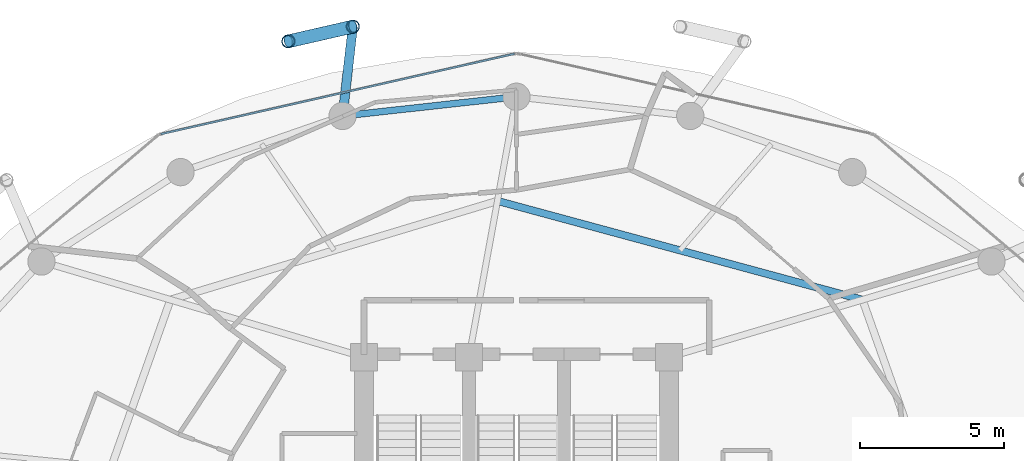
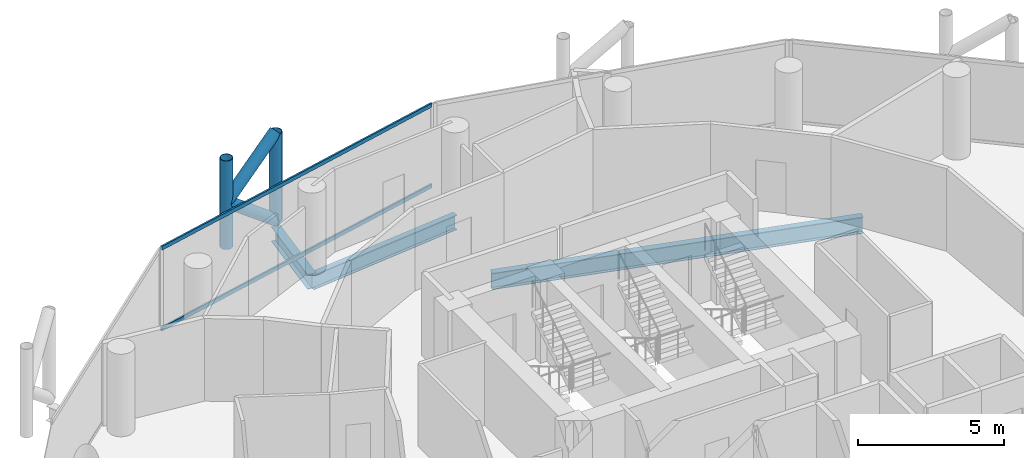
# One storey, part 16 of 27: 6 members, 3 beams, 1 element without a shape of its own.
"""IFC4 building model written with IfcOpenShell, lengths in metres."""

from ifc_helpers import new_model, si_unit, direction, frame, origin, origin_2d, place, context, subcontext, project, spatial, hollow_rectangle, hollow_circle, i_section, extrude, material, layer, layer_set, material_profile, profile_set, type_object, element, aggregate, save


model = new_model("IFC4")

# Units and contexts
model_context = context("Model", 3, precision=1e-05, world=origin(), true_north=direction((0.0, 1.0)))
body_context = subcontext(model_context, "Body", "Model", "MODEL_VIEW")
ifc_project = project(units=[si_unit("LENGTHUNIT", "METRE"), si_unit("AREAUNIT", "SQUARE_METRE"), si_unit("VOLUMEUNIT", "CUBIC_METRE"), si_unit("PLANEANGLEUNIT", "RADIAN"), si_unit("MASSUNIT", "GRAM", prefix="KILO")], contexts=[model_context])

# Site, building, storey
site_placement = place(None, origin())
site = spatial("IfcSite", under=ifc_project, at=site_placement, CompositionType="ELEMENT")
building_placement = place(site_placement, origin())
building = spatial("IfcBuilding", under=site, at=building_placement, Name="Nuhasar Tower", CompositionType="ELEMENT")
storey_placement = place(building_placement, frame((0.0, 0.0, 158.949951171875)))
storey = spatial("IfcBuildingStorey", under=building, at=storey_placement, Name="L38", CompositionType="ELEMENT", Elevation=158.949951171875)

# Beams
ifc_material_1 = material(Name="Steel S355", Category="steel")
ifc_material_profile_1 = material_profile(ifc_material_1, i_section(OverallWidth=0.25390625, OverallDepth=0.68408203125, WebThickness=0.012451171875, FlangeThickness=0.018798828125, at=origin_2d()), Name="W27X94")
ifc_profile_set_1 = profile_set([ifc_material_profile_1], Name="Steel S355")
beam_type_1 = type_object("IfcBeamType", Name="BM-INRING-W27X94", PredefinedType="BEAM", material=ifc_profile_set_1)
beam_1_placement = place(storey_placement, frame((51.027099609375, 39.2939453125, -0.592041015625), z_axis=(-0.96522695776, 0.261413312618, 0.0), x_axis=(-0.261413312618, -0.96522695776, 0.0)))
element("IfcBeam", 1, at=beam_1_placement, inside=storey, type_object=beam_type_1, Name="L38 Inner Header Beam 05", PredefinedType="BEAM", context=body_context, shape_type="SweptSolid", body=[
    extrude(i_section(OverallWidth=0.25390625, OverallDepth=0.68408203125, WebThickness=0.012451171875, FlangeThickness=0.018798828125, at=origin_2d()), origin(), (0.0, 0.0, 1.0), 13.14404296875),
])
ifc_material_profile_2 = material_profile(ifc_material_1, i_section(OverallWidth=0.22998046875, OverallDepth=0.616943359375, WebThickness=0.01318359375, FlangeThickness=0.022216796875, at=origin_2d()), Name="W24X94")
ifc_profile_set_2 = profile_set([ifc_material_profile_2], Name="Steel S355")
beam_type_2 = type_object("IfcBeamType", Name="BM-RING-W24X94", PredefinedType="SPANDREL", material=ifc_profile_set_2)
beam_2_placement = place(storey_placement, frame((39.0, 46.35009765625, -0.558837890625), z_axis=(-0.993981289157, -0.109549974015, 0.0), x_axis=(0.109549974015, -0.993981289157, 0.0)))
element("IfcBeam", 2, at=beam_2_placement, inside=storey, type_object=beam_type_2, Name="L38 Perimeter Ring Spandrel 07", PredefinedType="SPANDREL", context=body_context, shape_type="SweptSolid", body=[
    extrude(i_section(OverallWidth=0.22998046875, OverallDepth=0.616943359375, WebThickness=0.01318359375, FlangeThickness=0.022216796875, at=origin_2d()), origin(), (0.0, 0.0, 1.0), 6.07958984375),
])
ifc_material_profile_3 = material_profile(ifc_material_1, i_section(OverallWidth=0.323974609375, OverallDepth=0.611083984375, WebThickness=0.0126953125, FlangeThickness=0.01904296875, at=origin_2d()), Name="W24X104")
ifc_profile_set_3 = profile_set([ifc_material_profile_3], Name="Steel S355")
beam_type_3 = type_object("IfcBeamType", Name="BM-TIE-W24X104", PredefinedType="BEAM", material=ifc_profile_set_3)
beam_3_placement = place(storey_placement, frame((32.95703125, 45.68408203125, -0.555908203125), z_axis=(0.114167639647, 0.993461499031, 0.0), x_axis=(-0.993461499031, 0.114167639647, 0.0)))
element("IfcBeam", 3, at=beam_3_placement, inside=storey, type_object=beam_type_3, Name="L38 Exoskeleton Node Tie Beam 04", PredefinedType="BEAM", context=body_context, shape_type="SweptSolid", body=[
    extrude(i_section(OverallWidth=0.323974609375, OverallDepth=0.611083984375, WebThickness=0.0126953125, FlangeThickness=0.01904296875, at=origin_2d()), origin(), (0.0, 0.0, 1.0), 3.12646484375),
])

# Curtain wall, members
ifc_material_2 = material(Name="Aluminium 6063-T6", Category="aluminium")
ifc_layer = layer(ifc_material_2, 0.199951171875)
ifc_layer_set = layer_set([ifc_layer], Name="Aluminium 6063-T6")
curtain_wall_type = type_object("IfcCurtainWallType", Name="CW-Z2-HTL", PredefinedType="NOTDEFINED", material=ifc_layer_set)
curtain_wall_placement = place(storey_placement, origin())
curtain_wall = element("IfcCurtainWall", 4, at=curtain_wall_placement, inside=storey, type_object=curtain_wall_type, Name="L38 Unitised Curtain Wall 04", PredefinedType="NOTDEFINED")
ifc_material_profile_4 = material_profile(ifc_material_2, hollow_rectangle(XDim=0.070068359375, YDim=0.159912109375, WallThickness=0.00439453125, at=origin_2d()), Name="CWT-3")
ifc_profile_set_4 = profile_set([ifc_material_profile_4], Name="Aluminium 6063-T6")
member_type_1 = type_object("IfcMemberType", Name="CW-TRN-S3", PredefinedType="USERDEFINED", material=ifc_profile_set_4)
member_1_placement = place(storey_placement, frame((38.931640625, 47.844482421875, 0.03515625), z_axis=(-0.975183434528, -0.221398439519, 0.0), x_axis=(0.221398439519, -0.975183434528, 0.0)))
member_1 = element("IfcMember", 5, at=member_1_placement, type_object=member_type_1, Name="CW-Z2 transom 1.1", ObjectType="TRANSOM", PredefinedType="USERDEFINED", context=body_context, shape_type="SweptSolid", body=[
    extrude(hollow_rectangle(XDim=0.070068359375, YDim=0.159912109375, WallThickness=0.00439453125, at=origin_2d()), origin(), (0.0, 0.0, 1.0), 12.606201171875),
])
member_2_placement = place(storey_placement, frame((38.931640625, 47.844482421875, 3.4150390625), z_axis=(-0.975183434528, -0.221398439519, 0.0), x_axis=(0.221398439519, -0.975183434528, 0.0)))
member_2 = element("IfcMember", 6, at=member_2_placement, type_object=member_type_1, Name="CW-Z2 transom 1.2", ObjectType="TRANSOM", PredefinedType="USERDEFINED", context=body_context, shape_type="SweptSolid", body=[
    extrude(hollow_rectangle(XDim=0.070068359375, YDim=0.159912109375, WallThickness=0.00439453125, at=origin_2d()), origin(), (0.0, 0.0, 1.0), 12.606201171875),
])
aggregate(curtain_wall, [member_1, member_2])

# Members
ifc_material_3 = material(Name="Steel S460", Category="steel")
ifc_material_profile_5 = material_profile(ifc_material_3, hollow_circle(Radius=0.228515625, WallThickness=0.022216796875, at=origin_2d()), Name="HSS457X22.2")
ifc_profile_set_5 = profile_set([ifc_material_profile_5], Name="Steel S460")
member_type_2 = type_object("IfcMemberType", Name="EXO-BRONZE-457", PredefinedType="BRACE", material=ifc_profile_set_5)
for number, where, z_axis, x_axis, name in (
    (7, (33.31396484375, 48.7900390625, 0.0), (0.0, 0.0, 1.0), (1.0, 0.0, 0.0), "L38 Exoskeleton Chord Column EC-04A"),
    (8, (31.072021484375, 48.27587890625, 0.0), (0.0, 0.0, 1.0), (1.0, 0.0, 0.0), "L38 Exoskeleton Chord Column EC-04B"),
):
    element("IfcMember", number, at=place(storey_placement, frame(where, z_axis=z_axis, x_axis=x_axis)), inside=storey, type_object=member_type_2, Name=name, PredefinedType="BRACE", context=body_context, shape_type="SweptSolid", body=[
        extrude(hollow_circle(Radius=0.228515625, WallThickness=0.022216796875, at=origin_2d()), origin(), (0.0, 0.0, 1.0), 3.699951171875),
    ])
member_3_placement = place(storey_placement, frame((33.31396484375, 48.7900390625, 0.0), z_axis=(-0.759499549084, -0.174181209885, 0.626754609927), x_axis=(0.223533724104, -0.974696195842, 0.0)))
element("IfcMember", 9, at=member_3_placement, inside=storey, type_object=member_type_2, Name="L38 Bronze Diagrid Brace W1-04", PredefinedType="BRACE", context=body_context, shape_type="SweptSolid", body=[
    extrude(hollow_circle(Radius=0.228515625, WallThickness=0.022216796875, at=origin_2d()), origin(), (0.0, 0.0, 1.0), 2.951904296875),
])
member_4_placement = place(storey_placement, frame((31.072021484375, 48.27587890625, 1.85009765625), z_axis=(0.759538919781, 0.174190239035, 0.626704388019), x_axis=(-0.223533724104, 0.974696195842, 0.0)))
element("IfcMember", 10, at=member_4_placement, inside=storey, type_object=member_type_2, Name="L38 Bronze Diagrid Brace W2-04", PredefinedType="BRACE", context=body_context, shape_type="SweptSolid", body=[
    extrude(hollow_circle(Radius=0.228515625, WallThickness=0.022216796875, at=origin_2d()), origin(), (0.0, 0.0, 1.0), 2.95166015625),
])

save(model, "model.ifc")
